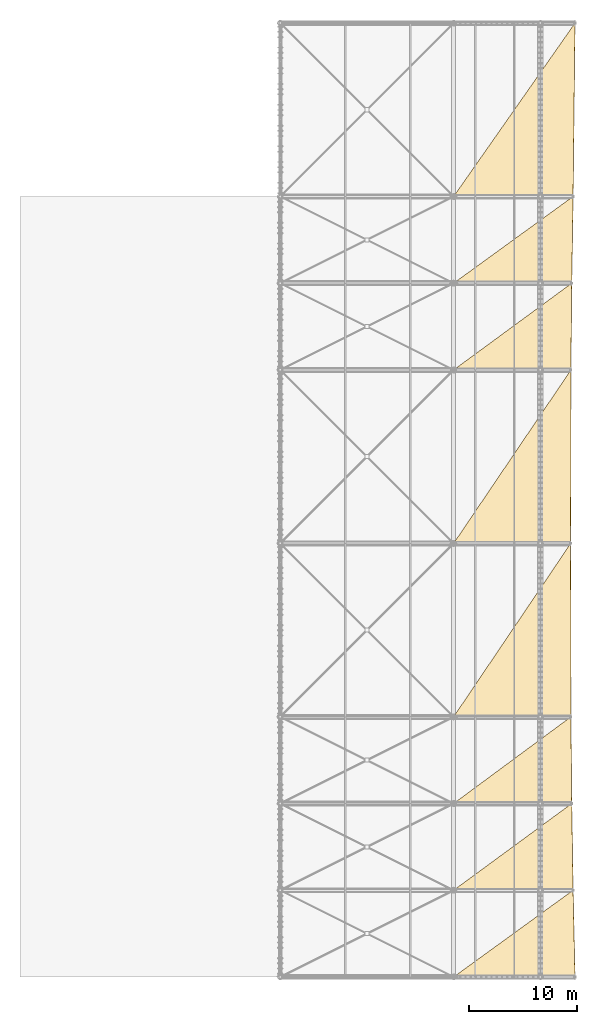
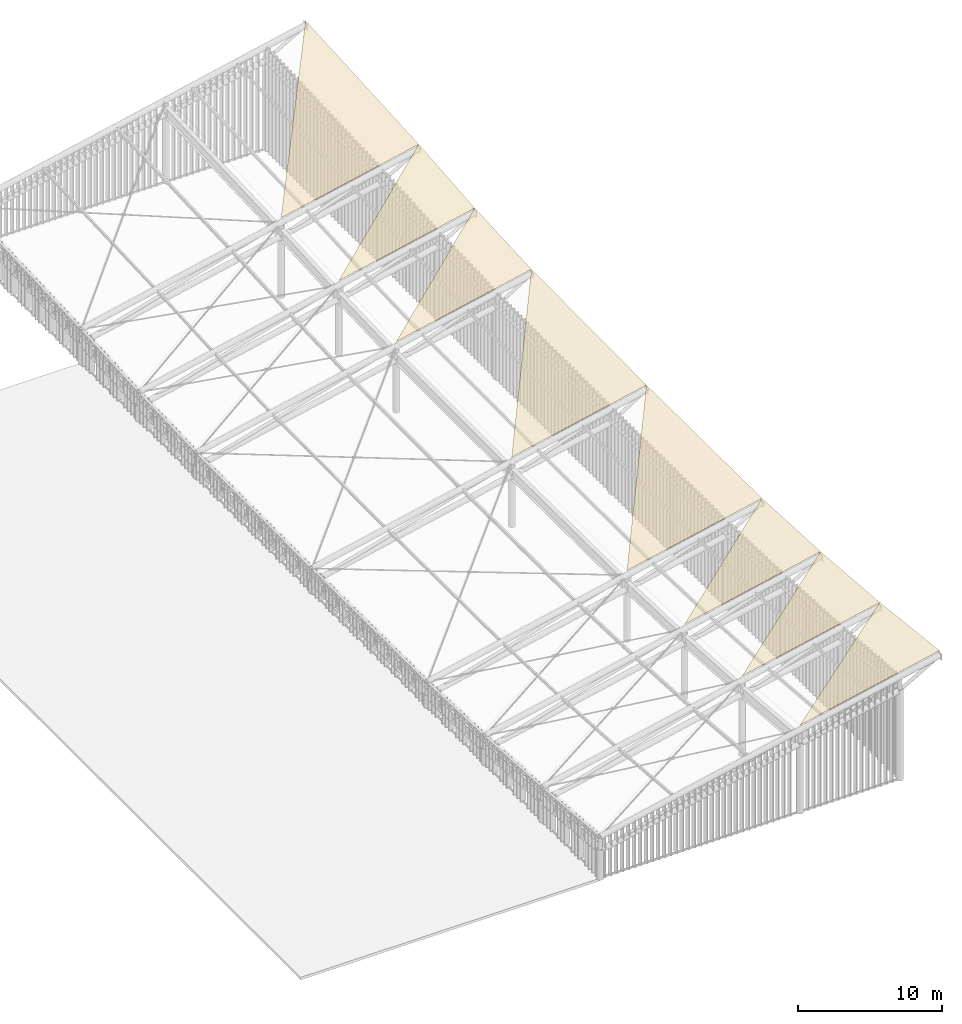
# One storey, part 25 of 25: 8 coverings, 1 element without a shape of its own.
"""IFC4 building model written with IfcOpenShell, lengths in metres."""

from ifc_helpers import new_model, si_unit, direction, frame, origin, place, context, subcontext, project, spatial, polyline, outline, extrude, material, layer, layer_set, type_object, element, aggregate, save


model = new_model("IFC4")

# Units and contexts
model_context = context("Model", 3, precision=1e-05, world=origin(), true_north=direction((0.0, 1.0)))
body_context = subcontext(model_context, "Body", "Model", "MODEL_VIEW")
ifc_project = project(units=[si_unit("LENGTHUNIT", "METRE"), si_unit("AREAUNIT", "SQUARE_METRE"), si_unit("VOLUMEUNIT", "CUBIC_METRE"), si_unit("PLANEANGLEUNIT", "RADIAN"), si_unit("MASSUNIT", "GRAM", prefix="KILO")], contexts=[model_context])

# Site, building, storey
site_placement = place(None, origin())
site = spatial("IfcSite", under=ifc_project, at=site_placement, CompositionType="ELEMENT")
building_placement = place(site_placement, origin())
building = spatial("IfcBuilding", under=site, at=building_placement, Name="Haebicheon Civic Stadium", CompositionType="ELEMENT")
storey_placement = place(building_placement, frame((0.0, 0.0, 31.199951171875)))
storey = spatial("IfcBuildingStorey", under=building, at=storey_placement, Name="RF", CompositionType="ELEMENT", Elevation=31.199951171875)

# Roof, coverings
ifc_material_1 = material(Name="White painted steel SM490", Category="steel")
roof_type = type_object("IfcRoofType", Name="ROOF-WING-CANOPY", PredefinedType="FREEFORM", material=ifc_material_1)
roof_placement = place(storey_placement, origin())
roof = element("IfcRoof", 1, at=roof_placement, inside=storey, type_object=roof_type, material=ifc_material_1, Name="West Main Stand Curled Wing Canopy", PredefinedType="FREEFORM")
ifc_material_2 = material(Name="White fluoropolymer coated steel SM490", Category="steel")
ifc_layer = layer(ifc_material_2, 0.02001953125, Name="White fluoropolymer coated steel SM490")
ifc_layer_set = layer_set([ifc_layer], Name="White fluoropolymer coated steel SM490")
covering_type = type_object("IfcCoveringType", Name="COV-CAN-MEM", PredefinedType="ROOFING", material=ifc_layer_set)
covering_1_placement = place(storey_placement, frame((64.0, 48.0, 7.360107421875), z_axis=(-0.20948415965, 0.08212358635, 0.974357277091), x_axis=(0.977659661495, 0.0, 0.210194163299)))
covering_1 = element("IfcCovering", 2, at=covering_1_placement, type_object=covering_type, material=ifc_layer_set, Name="CAN-WEST canopy coated steel membrane 1", PredefinedType="ROOFING", context=body_context, shape_type="SweptSolid", body=[
    extrude(outline(polyline([(0.0, 0.0), (11.455879395437805, 2.7755575615628914e-17), (11.13510103668019, 8.027114361286126), (0.0, 0.0)])), origin(), (0.0, 0.0, -1.0), 0.02001953125),
])
covering_2_placement = place(storey_placement, frame((64.0, 56.0, 6.68603515625), z_axis=(-0.209814184068, 0.058703130396, 0.975977433472), x_axis=(0.97766342944, 0.0, 0.210176636986)))
covering_2 = element("IfcCovering", 3, at=covering_2_placement, type_object=covering_type, material=ifc_layer_set, Name="CAN-WEST canopy coated steel membrane 2", PredefinedType="ROOFING", context=body_context, shape_type="SweptSolid", body=[
    extrude(outline(polyline([(0.0, 0.0), (11.27678709436811, 0.0), (11.047797529563146, 8.013819958627323), (0.0, 0.0)])), origin(), (0.0, 0.0, -1.0), 0.02001953125),
])
covering_3_placement = place(storey_placement, frame((64.0, 64.0, 6.205078125), z_axis=(-0.210026362744, 0.035274317253, 0.977059184233), x_axis=(0.977667618447, 0.0, 0.210157150343)))
covering_3 = element("IfcCovering", 4, at=covering_3_placement, type_object=covering_type, material=ifc_layer_set, Name="CAN-WEST canopy coated steel membrane 3", PredefinedType="ROOFING", context=body_context, shape_type="SweptSolid", body=[
    extrude(outline(polyline([(0.0, 0.0), (11.14888346314058, 0.0), (11.011522564790441, 8.004981759331132), (0.0, 0.0)])), origin(), (0.0, 0.0, -1.0), 0.02001953125),
])
covering_4_placement = place(storey_placement, frame((64.0, 72.0, 5.916015625), z_axis=(-0.210174462671, 0.005848813096, 0.977646401633), x_axis=(0.977663124027, 0.0, 0.210178057652)))
covering_4 = element("IfcCovering", 5, at=covering_4_placement, type_object=covering_type, material=ifc_layer_set, Name="CAN-WEST canopy coated steel membrane 4", PredefinedType="ROOFING", context=body_context, shape_type="SweptSolid", body=[
    extrude(outline(polyline([(0.0, 0.0), (11.07227111859336, -1.734723475976807e-18), (11.0266814324316, 16.00027367593867), (0.0, 0.0)])), origin(), (0.0, 0.0, -1.0), 0.02001953125),
])
covering_5_placement = place(storey_placement, frame((64.0, 88.0, 5.820068359375), z_axis=(-0.210194064858, -0.005848755968, 0.97764218769), x_axis=(0.977658909685, 0.0, 0.210197660104)))
covering_5 = element("IfcCovering", 6, at=covering_5_placement, type_object=covering_type, material=ifc_layer_set, Name="CAN-WEST canopy coated steel membrane 5", PredefinedType="ROOFING", context=body_context, shape_type="SweptSolid", body=[
    extrude(outline(polyline([(0.0, 0.0), (11.046847444578171, 0.0), (11.09243900709548, 16.000273670592243), (0.0, 0.0)])), origin(), (0.0, 0.0, -1.0), 0.02001953125),
])
covering_6_placement = place(storey_placement, frame((64.0, 104.0, 5.916015625), z_axis=(-0.21004725976, -0.035273950748, 0.977054705257), x_axis=(0.977663124027, 0.0, 0.210178057652)))
covering_6 = element("IfcCovering", 7, at=covering_6_placement, type_object=covering_type, material=ifc_layer_set, Name="CAN-WEST canopy coated steel membrane 6", PredefinedType="ROOFING", context=body_context, shape_type="SweptSolid", body=[
    extrude(outline(polyline([(0.0, 0.0), (11.07227111859336, 1.3877787807814457e-17), (11.209638055381275, 8.004981655712722), (0.0, 0.0)])), origin(), (0.0, 0.0, -1.0), 0.02001953125),
])
covering_7_placement = place(storey_placement, frame((64.0, 112.0, 6.205078125), z_axis=(-0.209794724016, -0.05870369796, 0.975981582624), x_axis=(0.977667618447, 0.0, 0.210157150343)))
covering_7 = element("IfcCovering", 8, at=covering_7_placement, type_object=covering_type, material=ifc_layer_set, Name="CAN-WEST canopy coated steel membrane 7", PredefinedType="ROOFING", context=body_context, shape_type="SweptSolid", body=[
    extrude(outline(polyline([(0.0, 0.0), (11.14888346314058, 2.7755575615628914e-17), (11.377863651253257, 8.013820226554564), (0.0, 0.0)])), origin(), (0.0, 0.0, -1.0), 0.02001953125),
])
covering_8_placement = place(storey_placement, frame((64.0, 120.0, 6.68603515625), z_axis=(-0.209998471215, -0.04116639694, 0.976834668637), x_axis=(0.97766342944, 0.0, 0.210176636986)))
covering_8 = element("IfcCovering", 9, at=covering_8_placement, type_object=covering_type, material=ifc_layer_set, Name="CAN-WEST canopy coated steel membrane 8", PredefinedType="ROOFING", context=body_context, shape_type="SweptSolid", body=[
    extrude(outline(polyline([(0.0, 0.0), (11.27678709436811, 0.0), (11.597553635471536, 16.013574633751258), (0.0, 0.0)])), origin(), (0.0, 0.0, -1.0), 0.02001953125),
])
aggregate(roof, [covering_1, covering_2, covering_3, covering_4, covering_5, covering_6, covering_7, covering_8])

save(model, "model.ifc")
